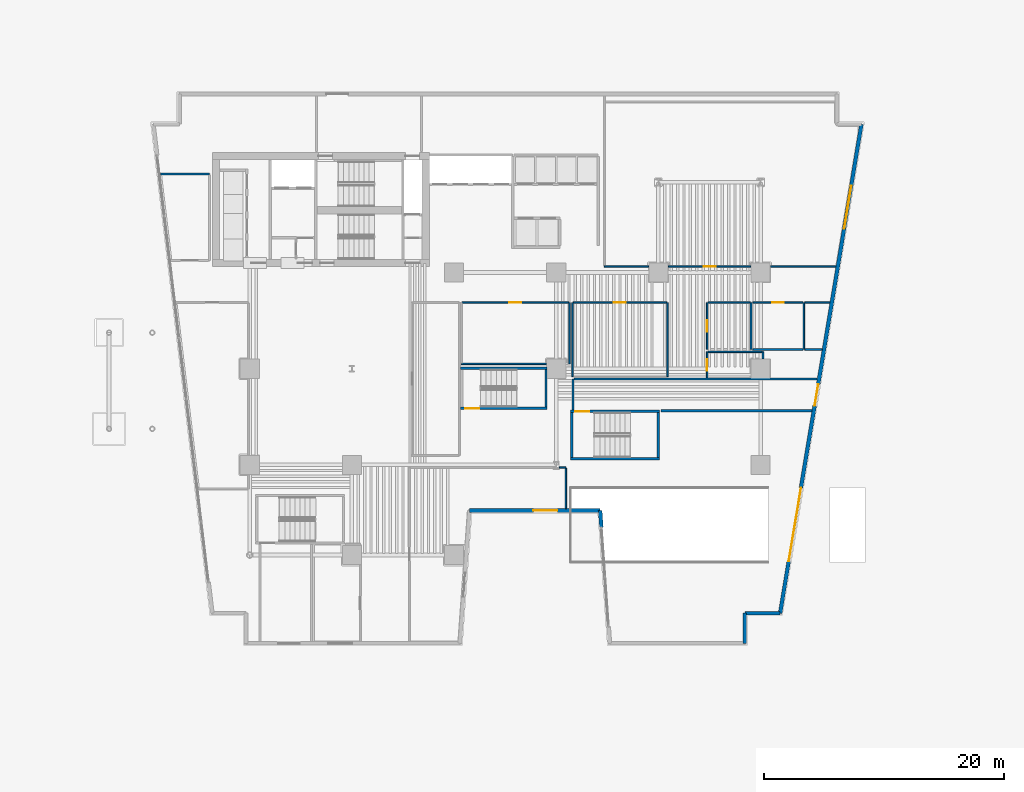
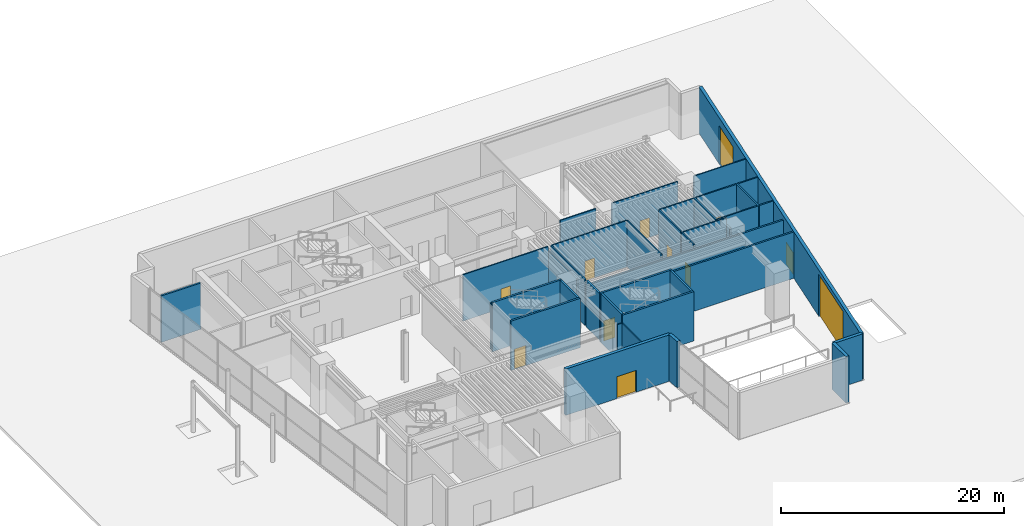
# One storey, part 9 of 18: 38 walls, 12 doors, 12 openings.
"""IFC4 building model written with IfcOpenShell, lengths in metres."""

from ifc_helpers import new_model, si_unit, direction, frame, frame_2d, origin, place, context, subcontext, project, spatial, rectangle, extrude, material, layer, layer_set, type_object, element, fill, save


model = new_model("IFC4")

# Units and contexts
model_context = context("Model", 3, precision=1e-05, world=origin(), true_north=direction((0.0, 1.0)))
body_context = subcontext(model_context, "Body", "Model", "MODEL_VIEW")
ifc_project = project(units=[si_unit("LENGTHUNIT", "METRE"), si_unit("AREAUNIT", "SQUARE_METRE"), si_unit("VOLUMEUNIT", "CUBIC_METRE"), si_unit("PLANEANGLEUNIT", "RADIAN"), si_unit("MASSUNIT", "GRAM", prefix="KILO")], contexts=[model_context])

# Site, building, storey
site_placement = place(None, origin())
site = spatial("IfcSite", under=ifc_project, at=site_placement, CompositionType="ELEMENT")
building_placement = place(site_placement, origin())
building = spatial("IfcBuilding", under=site, at=building_placement, Name="Caeloran Harvest Quay", CompositionType="ELEMENT")
storey_placement = place(building_placement, origin())
storey = spatial("IfcBuildingStorey", under=building, at=storey_placement, Name="L01", CompositionType="ELEMENT", Elevation=0.0)

# Wall, openings, doors
ifc_material_1 = material(Name="Precast concrete C50/60", Category="concrete")
ifc_layer_1 = layer(ifc_material_1, 0.320068359375, Name="Precast concrete C50/60")
ifc_layer_set_1 = layer_set([ifc_layer_1], Name="Precast concrete C50/60")
wall_type_1 = type_object("IfcWallType", Name="ENV-WALL-EW-320", PredefinedType="STANDARD", material=ifc_layer_set_1)
wall_1_placement = place(storey_placement, frame((59.39501953125, 43.340087890625, 0.0), z_axis=(0.0, 0.0, 1.0), x_axis=(-0.164174341808, -0.986431338458, 0.0)))
wall_1 = element("IfcWall", 1, at=wall_1_placement, inside=storey, type_object=wall_type_1, Name="L01 Exterior Precast Concrete Facade Wall 9", PredefinedType="STANDARD", context=body_context, shape_type="SweptSolid", body=[
    extrude(rectangle(XDim=41.23974609375, YDim=0.320068359375, at=frame_2d((20.619873046875, 0.0))), origin(), (0.0, 0.0, 1.0), 5.080078125),
])
opening_1_placement = place(wall_1_placement, frame((30.656005859375, 0.0, 0.0)))
opening_1 = element("IfcOpeningElement", 2, at=opening_1_placement, cuts=wall_1, Name="Opening VG-01", PredefinedType="OPENING", context=body_context, shape_type="SweptSolid", body=[
    extrude(rectangle(XDim=6.199951171875, YDim=4.60009765625, at=frame_2d((3.10009765625, 2.300048828125))), frame((0.0, 0.169921875, 0.0), z_axis=(0.0, -1.0, 0.0), x_axis=(1.0, 0.0, 0.0)), (0.0, 0.0, 1.0), 0.340087890625),
])
opening_2_placement = place(wall_1_placement, frame((5.199951171875, 0.0, 0.0)))
opening_2 = element("IfcOpeningElement", 3, at=opening_2_placement, cuts=wall_1, Name="Opening LDK-01", PredefinedType="OPENING", context=body_context, shape_type="SweptSolid", body=[
    extrude(rectangle(XDim=3.60009765625, YDim=4.199951171875, at=frame_2d((1.800048828125, 2.10009765625))), frame((0.0, 0.169921875, 0.0), z_axis=(0.0, -1.0, 0.0), x_axis=(1.0, 0.0, 0.0)), (0.0, 0.0, 1.0), 0.340087890625),
])
opening_3_placement = place(wall_1_placement, frame((21.9296875, 0.0, 0.0)))
opening_3 = element("IfcOpeningElement", 4, at=opening_3_placement, cuts=wall_1, Name="Opening ED-02", PredefinedType="OPENING", context=body_context, shape_type="SweptSolid", body=[
    extrude(rectangle(XDim=1.800048828125, YDim=2.39990234375, at=frame_2d((0.89990234375, 1.199951171875))), frame((0.0, 0.169921875, 0.0), z_axis=(0.0, -1.0, 0.0), x_axis=(1.0, 0.0, 0.0)), (0.0, 0.0, 1.0), 0.340087890625),
])
ifc_material_2 = material(Name="Thermally Broken Powder-Coated Aluminium and Safety Glass", Category="aluminium")
door_type_1 = type_object("IfcDoorType", Name="EXTDOOR-ED-02", OperationType="NOTDEFINED", PredefinedType="DOOR", material=ifc_material_2)
door_1_placement = place(opening_3_placement, origin())
door_1 = element("IfcDoor", 5, at=door_1_placement, inside=storey, type_object=door_type_1, Name="L01 Protected Passage ST-P2 Final Exit Door", OperationType="DOUBLE_DOOR_SINGLE_SWING", OverallHeight=2.39990234375, OverallWidth=1.800048828125, PredefinedType="DOOR", context=body_context, shape_type="SweptSolid", body=[
    extrude(rectangle(XDim=1.800048828125, YDim=2.39990234375, at=frame_2d((0.89990234375, 1.199951171875))), frame((0.0, 0.02490234375, 0.0), z_axis=(0.0, -1.0, 0.0), x_axis=(1.0, 0.0, 0.0)), (0.0, 0.0, 1.0), 0.050048828125),
])
fill(opening_3, door_1)
door_type_2 = type_object("IfcDoorType", Name="EXTDOOR-LDK-01", OperationType="NOTDEFINED", PredefinedType="GATE", material=ifc_material_2)
door_2_placement = place(opening_2_placement, origin())
door_2 = element("IfcDoor", 6, at=door_2_placement, inside=storey, type_object=door_type_2, Name="HGV Refrigerated Loading Bay Shutter Door LDK-01", OperationType="ROLLINGUP", OverallHeight=4.199951171875, OverallWidth=3.60009765625, PredefinedType="GATE", context=body_context, shape_type="SweptSolid", body=[
    extrude(rectangle(XDim=3.60009765625, YDim=4.199951171875, at=frame_2d((1.800048828125, 2.10009765625))), frame((0.0, 0.02490234375, 0.0), z_axis=(0.0, -1.0, 0.0), x_axis=(1.0, 0.0, 0.0)), (0.0, 0.0, 1.0), 0.050048828125),
])
fill(opening_2, door_2)
ifc_material_3 = material(Name="Galvanized Steel Slatted Shutter", Category="steel")
door_type_3 = type_object("IfcDoorType", Name="EXTDOOR-VG-01", OperationType="NOTDEFINED", PredefinedType="GATE", material=ifc_material_3)
door_3_placement = place(opening_1_placement, origin())
door_3 = element("IfcDoor", 7, at=door_3_placement, inside=storey, type_object=door_type_3, Name="Car Park Vehicle Roller Shutter Gate VG-01", OperationType="ROLLINGUP", OverallHeight=4.60009765625, OverallWidth=6.199951171875, PredefinedType="GATE", context=body_context, shape_type="SweptSolid", body=[
    extrude(rectangle(XDim=6.199951171875, YDim=4.60009765625, at=frame_2d((3.10009765625, 2.300048828125))), frame((0.0, 0.02490234375, 0.0), z_axis=(0.0, -1.0, 0.0), x_axis=(1.0, 0.0, 0.0)), (0.0, 0.0, 1.0), 0.050048828125),
])
fill(opening_1, door_3)

# Walls
wall_2_placement = place(storey_placement, frame((52.62451171875, 2.659912109375, 0.0), z_axis=(0.0, 0.0, 1.0), x_axis=(-1.0, 0.0, 0.0)))
element("IfcWall", 8, at=wall_2_placement, inside=storey, type_object=wall_type_1, Name="L01 Exterior Precast Concrete Facade Wall 10", PredefinedType="STANDARD", context=body_context, shape_type="SweptSolid", body=[
    extrude(rectangle(XDim=2.9404296875, YDim=0.320068359375, at=frame_2d((1.47021484375, 0.0))), origin(), (0.0, 0.0, 1.0), 5.080078125),
])
wall_3_placement = place(storey_placement, frame((49.68408203125, 2.659912109375, 0.0), z_axis=(0.0, 0.0, 1.0), x_axis=(0.0, -1.0, 0.0)))
element("IfcWall", 9, at=wall_3_placement, inside=storey, type_object=wall_type_1, Name="L01 Exterior Precast Concrete Facade Wall 11", PredefinedType="STANDARD", context=body_context, shape_type="SweptSolid", body=[
    extrude(rectangle(XDim=2.5, YDim=0.320068359375, at=frame_2d((1.25, 0.0))), origin(), (0.0, 0.0, 1.0), 5.080078125),
])
wall_4_placement = place(storey_placement, frame((37.75390625, 9.8037109375, 0.0), z_axis=(0.0, 0.0, 1.0), x_axis=(-0.072201344972, 0.997390077043, 0.0)))
element("IfcWall", 10, at=wall_4_placement, inside=storey, type_object=wall_type_1, Name="L01 Exterior Facade Corner Pier Wall 13B", PredefinedType="STANDARD", context=body_context, shape_type="SweptSolid", body=[
    extrude(rectangle(XDim=1.39990234375, YDim=0.320068359375, at=frame_2d((0.699951171875, 0.0))), origin(), (0.0, 0.0, 1.0), 5.080078125),
])

# Wall, opening, door
wall_5_placement = place(storey_placement, frame((37.65283203125, 11.199951171875, 0.0), z_axis=(0.0, 0.0, 1.0), x_axis=(-1.0, 0.0, 0.0)))
wall_5 = element("IfcWall", 11, at=wall_5_placement, inside=storey, type_object=wall_type_1, Name="L01 Exterior Precast Concrete Facade Wall 14", PredefinedType="STANDARD", context=body_context, shape_type="SweptSolid", body=[
    extrude(rectangle(XDim=10.86572265625, YDim=0.320068359375, at=frame_2d((5.432861328125, 0.0))), origin(), (0.0, 0.0, 1.0), 5.080078125),
])
opening_4_placement = place(wall_5_placement, frame((3.56396484375, 0.0, 0.0)))
opening_4 = element("IfcOpeningElement", 12, at=opening_4_placement, cuts=wall_5, Name="Opening ED-01", PredefinedType="OPENING", context=body_context, shape_type="SweptSolid", body=[
    extrude(rectangle(XDim=2.0, YDim=2.39990234375, at=frame_2d((1.0, 1.199951171875))), frame((0.0, 0.169921875, 0.0), z_axis=(0.0, -1.0, 0.0), x_axis=(1.0, 0.0, 0.0)), (0.0, 0.0, 1.0), 0.340087890625),
])
door_type_4 = type_object("IfcDoorType", Name="EXTDOOR-ED-01", OperationType="NOTDEFINED", PredefinedType="DOOR", material=ifc_material_2)
door_4_placement = place(opening_4_placement, origin())
door_4 = element("IfcDoor", 13, at=door_4_placement, inside=storey, type_object=door_type_4, Name="L01 Waterfront Final Exit Discharge Door E-01", OperationType="DOUBLE_DOOR_SINGLE_SWING", OverallHeight=2.39990234375, OverallWidth=2.0, PredefinedType="DOOR", context=body_context, shape_type="SweptSolid", body=[
    extrude(rectangle(XDim=2.0, YDim=2.39990234375, at=frame_2d((1.0, 1.199951171875))), frame((0.0, 0.02490234375, 0.0), z_axis=(0.0, -1.0, 0.0), x_axis=(1.0, 0.0, 0.0)), (0.0, 0.0, 1.0), 0.050048828125),
])
fill(opening_4, door_4)

# Walls
ifc_material_4 = material(Name="Twin-Stud Mineral-Wool Acoustic Gypsum Partition", Category="gypsum")
ifc_layer_2 = layer(ifc_material_4, 0.125, Name="Twin-Stud Mineral-Wool Acoustic Gypsum Partition")
ifc_layer_set_2 = layer_set([ifc_layer_2], Name="Twin-Stud Mineral-Wool Acoustic Gypsum Partition")
wall_type_2 = type_object("IfcWallType", Name="INT-WALL-PW-125", PredefinedType="PARTITIONING", material=ifc_layer_set_2)
wall_6_placement = place(storey_placement, frame((34.251953125, 14.800048828125, 0.0), z_axis=(0.0, 0.0, 1.0), x_axis=(1.0, 0.0, 0.0)))
element("IfcWall", 14, at=wall_6_placement, inside=storey, type_object=wall_type_2, Name="Quayside Bakery and Farm-to-Table Cafe Partition Wall", PredefinedType="PARTITIONING", context=body_context, shape_type="SweptSolid", body=[
    extrude(rectangle(XDim=0.548095703125, YDim=0.125, at=frame_2d((0.27392578125, 0.0))), origin(), (0.0, 0.0, 1.0), 5.080078125),
])
wall_7_placement = place(storey_placement, frame((34.800048828125, 14.732421875, 0.0), z_axis=(0.0, 0.0, 1.0), x_axis=(0.0, -1.0, 0.0)))
element("IfcWall", 15, at=wall_7_placement, inside=storey, type_object=wall_type_2, Name="Quayside Bakery and Farm-to-Table Cafe Partition Wall", PredefinedType="PARTITIONING", context=body_context, shape_type="SweptSolid", body=[
    extrude(rectangle(XDim=3.367431640625, YDim=0.125, at=frame_2d((1.68359375, 0.0))), origin(), (0.0, 0.0, 1.0), 5.080078125),
])
wall_8_placement = place(storey_placement, frame((35.10009765625, 28.5, 0.0), z_axis=(0.0, 0.0, 1.0), x_axis=(0.0, -1.0, 0.0)))
element("IfcWall", 16, at=wall_8_placement, inside=storey, type_object=wall_type_2, Name="Cold-Chain Harvest Sorting and Packhouse Hall Partition Wall", PredefinedType="PARTITIONING", context=body_context, shape_type="SweptSolid", body=[
    extrude(rectangle(XDim=5.10009765625, YDim=0.125, at=frame_2d((2.550048828125, 0.0))), origin(), (0.0, 0.0, 1.0), 4.614990234375),
])
wall_9_placement = place(storey_placement, frame((33.175048828125, 23.39990234375, 0.0), z_axis=(0.0, 0.0, 1.0), x_axis=(-1.0, 0.0, 0.0)))
element("IfcWall", 17, at=wall_9_placement, inside=storey, type_object=wall_type_2, Name="Cold-Chain Harvest Sorting and Packhouse Hall Partition Wall", PredefinedType="PARTITIONING", context=body_context, shape_type="SweptSolid", body=[
    extrude(rectangle(XDim=7.074951171875, YDim=0.125, at=frame_2d((3.53759765625, 0.0))), origin(), (0.0, 0.0, 1.0), 5.080078125),
])

# Wall, opening, door
wall_10_placement = place(storey_placement, frame((26.16748046875, 28.5, 0.0), z_axis=(0.0, 0.0, 1.0), x_axis=(1.0, 0.0, 0.0)))
wall_10 = element("IfcWall", 18, at=wall_10_placement, inside=storey, type_object=wall_type_2, Name="Cold-Chain Harvest Sorting and Packhouse Hall Partition Wall", PredefinedType="PARTITIONING", context=body_context, shape_type="SweptSolid", body=[
    extrude(rectangle(XDim=8.864990234375, YDim=0.125, at=frame_2d((4.4326171875, 0.0))), origin(), (0.0, 0.0, 1.0), 5.080078125),
])
opening_5_placement = place(wall_10_placement, frame((3.9326171875, 0.0, 0.0)))
opening_5 = element("IfcOpeningElement", 19, at=opening_5_placement, cuts=wall_10, Name="Opening ID-01", PredefinedType="OPENING", context=body_context, shape_type="SweptSolid", body=[
    extrude(rectangle(XDim=1.0, YDim=2.14990234375, at=frame_2d((0.5, 1.074951171875))), frame((0.0, 0.072509765625, 0.0), z_axis=(0.0, -1.0, 0.0), x_axis=(1.0, 0.0, 0.0)), (0.0, 0.0, 1.0), 0.14501953125),
])
ifc_material_5 = material(Name="FSC Solid-Core Ash Timber and Acoustic Seal", Category="wood")
door_type_5 = type_object("IfcDoorType", Name="INTDOOR-ID-01", OperationType="NOTDEFINED", PredefinedType="DOOR", material=ifc_material_5)
door_5_placement = place(opening_5_placement, origin())
door_5 = element("IfcDoor", 20, at=door_5_placement, inside=storey, type_object=door_type_5, Name="Cold-Chain Harvest Sorting and Packhouse Hall Access Door", OperationType="SINGLE_SWING_LEFT", OverallHeight=2.14990234375, OverallWidth=1.0, PredefinedType="DOOR", context=body_context, shape_type="SweptSolid", body=[
    extrude(rectangle(XDim=1.0, YDim=2.14990234375, at=frame_2d((0.5, 1.074951171875))), frame((0.0, 0.02490234375, 0.0), z_axis=(0.0, -1.0, 0.0), x_axis=(1.0, 0.0, 0.0)), (0.0, 0.0, 1.0), 0.050048828125),
])
fill(opening_5, door_5)

# Walls
for number, where, z_axis, x_axis, name in (
    (21, (43.25, 28.5, 0.0), (0.0, 0.0, 1.0), (0.0, -1.0, 0.0), "Walk-In Blast Freezer Store (-20 C) Partition Wall"),
    (22, (35.35009765625, 22.35009765625, 0.0), (0.0, 0.0, 1.0), (0.0, 1.0, 0.0), "Walk-In Blast Freezer Store (-20 C) Partition Wall"),
):
    element("IfcWall", number, at=place(storey_placement, frame(where, z_axis=z_axis, x_axis=x_axis)), inside=storey, type_object=wall_type_2, Name=name, PredefinedType="PARTITIONING", context=body_context, shape_type="SweptSolid", body=[
        extrude(rectangle(XDim=6.14990234375, YDim=0.125, at=frame_2d((3.074951171875, 0.0))), origin(), (0.0, 0.0, 1.0), 5.080078125),
    ])

# Wall, opening, door
wall_11_placement = place(storey_placement, frame((35.41748046875, 28.5, 0.0), z_axis=(0.0, 0.0, 1.0), x_axis=(1.0, 0.0, 0.0)))
wall_11 = element("IfcWall", 23, at=wall_11_placement, inside=storey, type_object=wall_type_2, Name="Walk-In Blast Freezer Store (-20 C) Partition Wall", PredefinedType="PARTITIONING", context=body_context, shape_type="SweptSolid", body=[
    extrude(rectangle(XDim=7.76513671875, YDim=0.125, at=frame_2d((3.882568359375, 0.0))), origin(), (0.0, 0.0, 1.0), 5.080078125),
])
opening_6_placement = place(wall_11_placement, frame((3.382568359375, 0.0, 0.0)))
opening_6 = element("IfcOpeningElement", 24, at=opening_6_placement, cuts=wall_11, Name="Opening ID-01", PredefinedType="OPENING", context=body_context, shape_type="SweptSolid", body=[
    extrude(rectangle(XDim=1.0, YDim=2.14990234375, at=frame_2d((0.5, 1.074951171875))), frame((0.0, 0.072509765625, 0.0), z_axis=(0.0, -1.0, 0.0), x_axis=(1.0, 0.0, 0.0)), (0.0, 0.0, 1.0), 0.14501953125),
])
door_6_placement = place(opening_6_placement, origin())
door_6 = element("IfcDoor", 25, at=door_6_placement, inside=storey, type_object=door_type_5, Name="Walk-In Blast Freezer Store (-20 C) Access Door", OperationType="SINGLE_SWING_LEFT", OverallHeight=2.14990234375, OverallWidth=1.0, PredefinedType="DOOR", context=body_context, shape_type="SweptSolid", body=[
    extrude(rectangle(XDim=1.0, YDim=2.14990234375, at=frame_2d((0.5, 1.074951171875))), frame((0.0, 0.02490234375, 0.0), z_axis=(0.0, -1.0, 0.0), x_axis=(1.0, 0.0, 0.0)), (0.0, 0.0, 1.0), 0.050048828125),
])
fill(opening_6, door_6)

wall_12_placement = place(storey_placement, frame((50.175048828125, 31.5, 0.0), z_axis=(0.0, 0.0, 1.0), x_axis=(-1.0, 0.0, 0.0)))
wall_12 = element("IfcWall", 26, at=wall_12_placement, inside=storey, type_object=wall_type_2, Name="Enclosed HGV Refrigerated Loading Dock Hall Partition Wall", PredefinedType="PARTITIONING", context=body_context, shape_type="SweptSolid", body=[
    extrude(rectangle(XDim=6.85009765625, YDim=0.125, at=frame_2d((3.425048828125, 0.0))), origin(), (0.0, 0.0, 1.0), 5.080078125),
])
opening_7_placement = place(wall_12_placement, frame((2.925048828125, 0.0, 0.0)))
opening_7 = element("IfcOpeningElement", 27, at=opening_7_placement, cuts=wall_12, Name="Opening ID-01", PredefinedType="OPENING", context=body_context, shape_type="SweptSolid", body=[
    extrude(rectangle(XDim=1.0, YDim=2.14990234375, at=frame_2d((0.5, 1.074951171875))), frame((0.0, 0.072509765625, 0.0), z_axis=(0.0, -1.0, 0.0), x_axis=(1.0, 0.0, 0.0)), (0.0, 0.0, 1.0), 0.14501953125),
])
door_7_placement = place(opening_7_placement, origin())
door_7 = element("IfcDoor", 28, at=door_7_placement, inside=storey, type_object=door_type_5, Name="Enclosed HGV Refrigerated Loading Dock Hall Access Door", OperationType="SINGLE_SWING_RIGHT", OverallHeight=2.14990234375, OverallWidth=1.0, PredefinedType="DOOR", context=body_context, shape_type="SweptSolid", body=[
    extrude(rectangle(XDim=1.0, YDim=2.14990234375, at=frame_2d((0.5, 1.074951171875))), frame((0.0, 0.02490234375, 0.0), z_axis=(0.0, -1.0, 0.0), x_axis=(1.0, 0.0, 0.0)), (0.0, 0.0, 1.0), 0.050048828125),
])
fill(opening_7, door_7)

# Walls
wall_13_placement = place(storey_placement, frame((41.675048828125, 31.5, 0.0), z_axis=(0.0, 0.0, 1.0), x_axis=(-1.0, 0.0, 0.0)))
element("IfcWall", 29, at=wall_13_placement, inside=storey, type_object=wall_type_2, Name="Enclosed HGV Refrigerated Loading Dock Hall Partition Wall", PredefinedType="PARTITIONING", context=body_context, shape_type="SweptSolid", body=[
    extrude(rectangle(XDim=3.675048828125, YDim=0.125, at=frame_2d((1.83740234375, 0.0))), origin(), (0.0, 0.0, 1.0), 5.080078125),
])
wall_14_placement = place(storey_placement, frame((57.257080078125, 31.5, 0.0), z_axis=(0.0, 0.0, 1.0), x_axis=(-1.0, 0.0, 0.0)))
element("IfcWall", 30, at=wall_14_placement, inside=storey, type_object=wall_type_2, Name="Enclosed HGV Refrigerated Loading Dock Hall Partition Wall", PredefinedType="PARTITIONING", context=body_context, shape_type="SweptSolid", body=[
    extrude(rectangle(XDim=5.43212890625, YDim=0.125, at=frame_2d((2.716064453125, 0.0))), origin(), (0.0, 0.0, 1.0), 5.080078125),
])
ifc_material_6 = material(Name="Moisture-Resistant Cement-Board Sanitary Partition", Category="gypsum")
ifc_layer_3 = layer(ifc_material_6, 0.139892578125, Name="Moisture-Resistant Cement-Board Sanitary Partition")
ifc_layer_set_3 = layer_set([ifc_layer_3], Name="Moisture-Resistant Cement-Board Sanitary Partition")
wall_type_3 = type_object("IfcWallType", Name="INT-WALL-PW-140", PredefinedType="PARTITIONING", material=ifc_layer_set_3)
wall_15_placement = place(storey_placement, frame((51.199951171875, 24.39990234375, 0.0), z_axis=(0.0, 0.0, 1.0), x_axis=(0.0, -1.0, 0.0)))
element("IfcWall", 31, at=wall_15_placement, inside=storey, type_object=wall_type_3, Name="L01 Public Male Washroom WC Partition Wall", PredefinedType="PARTITIONING", context=body_context, shape_type="SweptSolid", body=[
    extrude(rectangle(XDim=0.574951171875, YDim=0.139892578125, at=frame_2d((0.28759765625, 0.0))), origin(), (0.0, 0.0, 1.0), 4.264892578125),
])

# Wall, opening, door
wall_16_placement = place(storey_placement, frame((46.550048828125, 22.2451171875, 0.0), z_axis=(0.0, 0.0, 1.0), x_axis=(0.0, 1.0, 0.0)))
wall_16 = element("IfcWall", 32, at=wall_16_placement, inside=storey, type_object=wall_type_3, Name="L01 Public Male Washroom WC Partition Wall", PredefinedType="PARTITIONING", context=body_context, shape_type="SweptSolid", body=[
    extrude(rectangle(XDim=2.15478515625, YDim=0.139892578125, at=frame_2d((1.077392578125, 0.0))), origin(), (0.0, 0.0, 1.0), 5.080078125),
])
opening_8_placement = place(wall_16_placement, frame((0.6025390625, 0.0, 0.0)))
opening_8 = element("IfcOpeningElement", 33, at=opening_8_placement, cuts=wall_16, Name="Opening WC-01", PredefinedType="OPENING", context=body_context, shape_type="SweptSolid", body=[
    extrude(rectangle(XDim=0.949951171875, YDim=2.14990234375, at=frame_2d((0.47509765625, 1.074951171875))), frame((0.0, 0.080078125, 0.0), z_axis=(0.0, -1.0, 0.0), x_axis=(1.0, 0.0, 0.0)), (0.0, 0.0, 1.0), 0.159912109375),
])
ifc_material_7 = material(Name="High-Pressure Laminate Moisture-Resistant Timber", Category="wood")
door_type_6 = type_object("IfcDoorType", Name="INTDOOR-WC-01", OperationType="NOTDEFINED", PredefinedType="DOOR", material=ifc_material_7)
door_8_placement = place(opening_8_placement, origin())
door_8 = element("IfcDoor", 34, at=door_8_placement, inside=storey, type_object=door_type_6, Name="L01 Public Male Washroom WC Access Door", OperationType="SINGLE_SWING_LEFT", OverallHeight=2.14990234375, OverallWidth=0.949951171875, PredefinedType="DOOR", context=body_context, shape_type="SweptSolid", body=[
    extrude(rectangle(XDim=0.949951171875, YDim=2.14990234375, at=frame_2d((0.47509765625, 1.074951171875))), frame((0.0, 0.02490234375, 0.0), z_axis=(0.0, -1.0, 0.0), x_axis=(1.0, 0.0, 0.0)), (0.0, 0.0, 1.0), 0.050048828125),
])
fill(opening_8, door_8)

# Walls
wall_17_placement = place(storey_placement, frame((46.625, 24.39990234375, 0.0), z_axis=(0.0, 0.0, 1.0), x_axis=(1.0, 0.0, 0.0)))
element("IfcWall", 35, at=wall_17_placement, inside=storey, type_object=wall_type_3, Name="L01 Public Male Washroom WC Partition Wall", PredefinedType="PARTITIONING", context=body_context, shape_type="SweptSolid", body=[
    extrude(rectangle(XDim=4.5, YDim=0.139892578125, at=frame_2d((2.25, 0.0))), origin(), (0.0, 0.0, 1.0), 5.080078125),
])
wall_18_placement = place(storey_placement, frame((50.199951171875, 28.5, 0.0), z_axis=(0.0, 0.0, 1.0), x_axis=(0.0, -1.0, 0.0)))
element("IfcWall", 36, at=wall_18_placement, inside=storey, type_object=wall_type_3, Name="L01 Accessible Unisex Washroom WC Partition Wall", PredefinedType="PARTITIONING", context=body_context, shape_type="SweptSolid", body=[
    extrude(rectangle(XDim=3.89990234375, YDim=0.139892578125, at=frame_2d((1.949951171875, 0.0))), origin(), (0.0, 0.0, 1.0), 5.080078125),
])

# Wall, opening, door
wall_19_placement = place(storey_placement, frame((46.550048828125, 24.60009765625, 0.0), z_axis=(0.0, 0.0, 1.0), x_axis=(0.0, 1.0, 0.0)))
wall_19 = element("IfcWall", 37, at=wall_19_placement, inside=storey, type_object=wall_type_3, Name="L01 Accessible Unisex Washroom WC Partition Wall", PredefinedType="PARTITIONING", context=body_context, shape_type="SweptSolid", body=[
    extrude(rectangle(XDim=3.89990234375, YDim=0.139892578125, at=frame_2d((1.949951171875, 0.0))), origin(), (0.0, 0.0, 1.0), 5.080078125),
])
opening_9_placement = place(wall_19_placement, frame((1.47509765625, 0.0, 0.0)))
opening_9 = element("IfcOpeningElement", 38, at=opening_9_placement, cuts=wall_19, Name="Opening WC-01", PredefinedType="OPENING", context=body_context, shape_type="SweptSolid", body=[
    extrude(rectangle(XDim=0.949951171875, YDim=2.14990234375, at=frame_2d((0.47509765625, 1.074951171875))), frame((0.0, 0.080078125, 0.0), z_axis=(0.0, -1.0, 0.0), x_axis=(1.0, 0.0, 0.0)), (0.0, 0.0, 1.0), 0.159912109375),
])
door_9_placement = place(opening_9_placement, origin())
door_9 = element("IfcDoor", 39, at=door_9_placement, inside=storey, type_object=door_type_6, Name="L01 Accessible Unisex Washroom WC Access Door", OperationType="SINGLE_SWING_RIGHT", OverallHeight=2.14990234375, OverallWidth=0.949951171875, PredefinedType="DOOR", context=body_context, shape_type="SweptSolid", body=[
    extrude(rectangle(XDim=0.949951171875, YDim=2.14990234375, at=frame_2d((0.47509765625, 1.074951171875))), frame((0.0, 0.02490234375, 0.0), z_axis=(0.0, -1.0, 0.0), x_axis=(1.0, 0.0, 0.0)), (0.0, 0.0, 1.0), 0.050048828125),
])
fill(opening_9, door_9)

# Walls
wall_20_placement = place(storey_placement, frame((46.625, 28.5, 0.0), z_axis=(0.0, 0.0, 1.0), x_axis=(1.0, 0.0, 0.0)))
element("IfcWall", 40, at=wall_20_placement, inside=storey, type_object=wall_type_3, Name="L01 Accessible Unisex Washroom WC Partition Wall", PredefinedType="PARTITIONING", context=body_context, shape_type="SweptSolid", body=[
    extrude(rectangle(XDim=3.5, YDim=0.139892578125, at=frame_2d((1.75, 0.0))), origin(), (0.0, 0.0, 1.0), 5.080078125),
])
wall_21_placement = place(storey_placement, frame((54.60009765625, 28.5, 0.0), z_axis=(0.0, 0.0, 1.0), x_axis=(0.0, -1.0, 0.0)))
element("IfcWall", 41, at=wall_21_placement, inside=storey, type_object=wall_type_3, Name="L01 Public Female Washroom WC Partition Wall", PredefinedType="PARTITIONING", context=body_context, shape_type="SweptSolid", body=[
    extrude(rectangle(XDim=3.89990234375, YDim=0.139892578125, at=frame_2d((1.949951171875, 0.0))), origin(), (0.0, 0.0, 1.0), 5.080078125),
])
wall_22_placement = place(storey_placement, frame((56.10888671875, 24.60009765625, 0.0), z_axis=(0.0, 0.0, 1.0), x_axis=(-1.0, 0.0, 0.0)))
element("IfcWall", 42, at=wall_22_placement, inside=storey, type_object=wall_type_3, Name="L01 Public Female Washroom WC Partition Wall", PredefinedType="PARTITIONING", context=body_context, shape_type="SweptSolid", body=[
    extrude(rectangle(XDim=1.433837890625, YDim=0.139892578125, at=frame_2d((0.716796875, 0.0))), origin(), (0.0, 0.0, 1.0), 5.080078125),
])
wall_23_placement = place(storey_placement, frame((54.52490234375, 24.60009765625, 0.0), z_axis=(0.0, 0.0, 1.0), x_axis=(-1.0, 0.0, 0.0)))
element("IfcWall", 43, at=wall_23_placement, inside=storey, type_object=wall_type_3, Name="L01 Public Female Washroom WC Partition Wall", PredefinedType="PARTITIONING", context=body_context, shape_type="SweptSolid", body=[
    extrude(rectangle(XDim=4.1748046875, YDim=0.139892578125, at=frame_2d((2.08740234375, 0.0))), origin(), (0.0, 0.0, 1.0), 5.080078125),
])
wall_24_placement = place(storey_placement, frame((54.675048828125, 28.5, 0.0), z_axis=(0.0, 0.0, 1.0), x_axis=(1.0, 0.0, 0.0)))
element("IfcWall", 44, at=wall_24_placement, inside=storey, type_object=wall_type_3, Name="L01 Public Female Washroom WC Partition Wall", PredefinedType="PARTITIONING", context=body_context, shape_type="SweptSolid", body=[
    extrude(rectangle(XDim=2.082763671875, YDim=0.139892578125, at=frame_2d((1.04150390625, 0.0))), origin(), (0.0, 0.0, 1.0), 5.080078125),
])

# Wall, opening, door
wall_25_placement = place(storey_placement, frame((50.35009765625, 28.5, 0.0), z_axis=(0.0, 0.0, 1.0), x_axis=(1.0, 0.0, 0.0)))
wall_25 = element("IfcWall", 45, at=wall_25_placement, inside=storey, type_object=wall_type_3, Name="L01 Public Female Washroom WC Partition Wall", PredefinedType="PARTITIONING", context=body_context, shape_type="SweptSolid", body=[
    extrude(rectangle(XDim=4.1748046875, YDim=0.139892578125, at=frame_2d((2.08740234375, 0.0))), origin(), (0.0, 0.0, 1.0), 5.080078125),
])
opening_10_placement = place(wall_25_placement, frame((1.612548828125, 0.0, 0.0)))
opening_10 = element("IfcOpeningElement", 46, at=opening_10_placement, cuts=wall_25, Name="Opening WC-01", PredefinedType="OPENING", context=body_context, shape_type="SweptSolid", body=[
    extrude(rectangle(XDim=0.949951171875, YDim=2.14990234375, at=frame_2d((0.47509765625, 1.074951171875))), frame((0.0, 0.080078125, 0.0), z_axis=(0.0, -1.0, 0.0), x_axis=(1.0, 0.0, 0.0)), (0.0, 0.0, 1.0), 0.159912109375),
])
door_10_placement = place(opening_10_placement, origin())
door_10 = element("IfcDoor", 47, at=door_10_placement, inside=storey, type_object=door_type_6, Name="L01 Public Female Washroom WC Access Door", OperationType="SINGLE_SWING_LEFT", OverallHeight=2.14990234375, OverallWidth=0.949951171875, PredefinedType="DOOR", context=body_context, shape_type="SweptSolid", body=[
    extrude(rectangle(XDim=0.949951171875, YDim=2.14990234375, at=frame_2d((0.47509765625, 1.074951171875))), frame((0.0, 0.02490234375, 0.0), z_axis=(0.0, -1.0, 0.0), x_axis=(1.0, 0.0, 0.0)), (0.0, 0.0, 1.0), 0.050048828125),
])
fill(opening_10, door_10)

# Walls
ifc_material_8 = material(Name="Autoclaved Aerated Concrete Blockwork", Category="masonry")
ifc_layer_4 = layer(ifc_material_8, 0.179931640625, Name="Autoclaved Aerated Concrete Blockwork")
ifc_layer_set_4 = layer_set([ifc_layer_4], Name="Autoclaved Aerated Concrete Blockwork")
wall_type_4 = type_object("IfcWallType", Name="INT-WALL-PW-180", PredefinedType="PARTITIONING", material=ifc_layer_set_4)
wall_26_placement = place(storey_placement, frame((55.260009765625, 19.5, 0.0), z_axis=(0.0, 0.0, 1.0), x_axis=(-1.0, 0.0, 0.0)))
element("IfcWall", 48, at=wall_26_placement, inside=storey, type_object=wall_type_4, Name="L01 Protected Exit Passageway ST-P2 to East Quayside EI 120 Compartment Wall", PredefinedType="PARTITIONING", context=body_context, shape_type="SweptSolid", body=[
    extrude(rectangle(XDim=12.55810546875, YDim=0.179931640625, at=frame_2d((6.279052734375, 0.0))), origin(), (0.0, 0.0, 1.0), 5.080078125),
])
wall_27_placement = place(storey_placement, frame((35.39990234375, 19.554931640625, 0.0), z_axis=(0.0, 0.0, 1.0), x_axis=(0.0, 1.0, 0.0)))
element("IfcWall", 49, at=wall_27_placement, inside=storey, type_object=wall_type_4, Name="L01 Protected Exit Passageway ST-P2 to East Quayside EI 120 Compartment Wall", PredefinedType="PARTITIONING", context=body_context, shape_type="SweptSolid", body=[
    extrude(rectangle(XDim=2.594970703125, YDim=0.179931640625, at=frame_2d((1.29736328125, 0.0))), origin(), (0.0, 0.0, 1.0), 5.080078125),
])
wall_28_placement = place(storey_placement, frame((35.4951171875, 22.14990234375, 0.0), z_axis=(0.0, 0.0, 1.0), x_axis=(1.0, 0.0, 0.0)))
element("IfcWall", 50, at=wall_28_placement, inside=storey, type_object=wall_type_4, Name="L01 Protected Exit Passageway ST-P2 to East Quayside EI 120 Compartment Wall", PredefinedType="PARTITIONING", context=body_context, shape_type="SweptSolid", body=[
    extrude(rectangle(XDim=20.2060546875, YDim=0.179931640625, at=frame_2d((10.10302734375, 0.0))), origin(), (0.0, 0.0, 1.0), 4.614990234375),
])
wall_29_placement = place(storey_placement, frame((1.08642578125, 39.199951171875, 0.0), z_axis=(0.0, 0.0, 1.0), x_axis=(1.0, 0.0, 0.0)))
element("IfcWall", 51, at=wall_29_placement, inside=storey, type_object=wall_type_4, Name="L01 Fire Command Centre and Fire Control Room Partition Wall", PredefinedType="PARTITIONING", context=body_context, shape_type="SweptSolid", body=[
    extrude(rectangle(XDim=4.0634765625, YDim=0.179931640625, at=frame_2d((2.03173828125, 0.0))), origin(), (0.0, 0.0, 1.0), 5.080078125),
])

# Wall, opening, door
ifc_material_9 = material(Name="Concrete C60/75", Category="concrete")
ifc_layer_5 = layer(ifc_material_9, 0.199951171875, Name="Concrete C60/75")
ifc_layer_set_5 = layer_set([ifc_layer_5], Name="Concrete C60/75")
wall_type_5 = type_object("IfcWallType", Name="STR-WALL-SW-200", PredefinedType="SHEAR", material=ifc_layer_set_5)
wall_30_placement = place(storey_placement, frame((26.050048828125, 19.699951171875, 0.0), z_axis=(0.0, 0.0, 1.0), x_axis=(1.0, 0.0, 0.0)))
wall_30 = element("IfcWall", 52, at=wall_30_placement, inside=storey, type_object=wall_type_5, Name="L01 Stair ST-W1 S RC Shaft Shear Wall", PredefinedType="SHEAR", context=body_context, shape_type="SweptSolid", body=[
    extrude(rectangle(XDim=7.199951171875, YDim=0.199951171875, at=frame_2d((3.60009765625, 0.0))), origin(), (0.0, 0.0, 1.0), 5.39990234375),
])
opening_11_placement = place(wall_30_placement, frame((0.3798828125, 0.0, 0.0)))
opening_11 = element("IfcOpeningElement", 53, at=opening_11_placement, cuts=wall_30, Name="Opening SD-01", PredefinedType="OPENING", context=body_context, shape_type="SweptSolid", body=[
    extrude(rectangle(XDim=1.14990234375, YDim=2.199951171875, at=frame_2d((0.574951171875, 1.10009765625))), frame((0.0, 0.10986328125, 0.0), z_axis=(0.0, -1.0, 0.0), x_axis=(1.0, 0.0, 0.0)), (0.0, 0.0, 1.0), 0.219970703125),
])
ifc_material_10 = material(Name="Steel", Category="steel")
door_type_7 = type_object("IfcDoorType", Name="INTDOOR-SD-01", OperationType="NOTDEFINED", PredefinedType="DOOR", material=ifc_material_10)
door_11_placement = place(opening_11_placement, origin())
door_11 = element("IfcDoor", 54, at=door_11_placement, inside=storey, type_object=door_type_7, Name="L01 Protected Exit Stair ST-W1 Fire Door", OperationType="SINGLE_SWING_RIGHT", OverallHeight=2.199951171875, OverallWidth=1.14990234375, PredefinedType="DOOR", context=body_context, shape_type="SweptSolid", body=[
    extrude(rectangle(XDim=1.14990234375, YDim=2.199951171875, at=frame_2d((0.574951171875, 1.10009765625))), frame((0.0, 0.02490234375, 0.0), z_axis=(0.0, -1.0, 0.0), x_axis=(1.0, 0.0, 0.0)), (0.0, 0.0, 1.0), 0.050048828125),
])
fill(opening_11, door_11)

# Walls
wall_31_placement = place(storey_placement, frame((26.050048828125, 23.050048828125, 0.0), z_axis=(0.0, 0.0, 1.0), x_axis=(1.0, 0.0, 0.0)))
element("IfcWall", 55, at=wall_31_placement, inside=storey, type_object=wall_type_5, Name="L01 Stair ST-W1 N RC Shaft Shear Wall", PredefinedType="SHEAR", context=body_context, shape_type="SweptSolid", body=[
    extrude(rectangle(XDim=7.199951171875, YDim=0.199951171875, at=frame_2d((3.60009765625, 0.0))), origin(), (0.0, 0.0, 1.0), 5.39990234375),
])
wall_32_placement = place(storey_placement, frame((33.14990234375, 19.81005859375, 0.0), z_axis=(0.0, 0.0, 1.0), x_axis=(0.0, 1.0, 0.0)))
element("IfcWall", 56, at=wall_32_placement, inside=storey, type_object=wall_type_5, Name="L01 Stair ST-W1 E RC Shaft Shear Wall", PredefinedType="SHEAR", context=body_context, shape_type="SweptSolid", body=[
    extrude(rectangle(XDim=3.1298828125, YDim=0.199951171875, at=frame_2d((1.56494140625, 0.0))), origin(), (0.0, 0.0, 1.0), 5.39990234375),
])
wall_33_placement = place(storey_placement, frame((35.199951171875, 15.5, 0.0), z_axis=(0.0, 0.0, 1.0), x_axis=(1.0, 0.0, 0.0)))
element("IfcWall", 57, at=wall_33_placement, inside=storey, type_object=wall_type_5, Name="L01 Stair ST-P2 S RC Shaft Shear Wall", PredefinedType="SHEAR", context=body_context, shape_type="SweptSolid", body=[
    extrude(rectangle(XDim=7.400146484375, YDim=0.199951171875, at=frame_2d((3.7001953125, 0.0))), origin(), (0.0, 0.0, 1.0), 5.39990234375),
])

# Wall, opening, door
wall_34_placement = place(storey_placement, frame((35.199951171875, 19.449951171875, 0.0), z_axis=(0.0, 0.0, 1.0), x_axis=(1.0, 0.0, 0.0)))
wall_34 = element("IfcWall", 58, at=wall_34_placement, inside=storey, type_object=wall_type_5, Name="L01 Stair ST-P2 N RC Shaft Shear Wall", PredefinedType="SHEAR", context=body_context, shape_type="SweptSolid", body=[
    extrude(rectangle(XDim=7.400146484375, YDim=0.199951171875, at=frame_2d((3.7001953125, 0.0))), origin(), (0.0, 0.0, 1.0), 5.39990234375),
])
opening_12_placement = place(wall_34_placement, frame((0.3798828125, 0.0, 0.0)))
opening_12 = element("IfcOpeningElement", 59, at=opening_12_placement, cuts=wall_34, Name="Opening SD-01", PredefinedType="OPENING", context=body_context, shape_type="SweptSolid", body=[
    extrude(rectangle(XDim=1.14990234375, YDim=2.199951171875, at=frame_2d((0.574951171875, 1.10009765625))), frame((0.0, 0.10986328125, 0.0), z_axis=(0.0, -1.0, 0.0), x_axis=(1.0, 0.0, 0.0)), (0.0, 0.0, 1.0), 0.219970703125),
])
door_12_placement = place(opening_12_placement, origin())
door_12 = element("IfcDoor", 60, at=door_12_placement, inside=storey, type_object=door_type_7, Name="L01 Protected Exit Stair ST-P2 Fire Door", OperationType="SINGLE_SWING_RIGHT", OverallHeight=2.199951171875, OverallWidth=1.14990234375, PredefinedType="DOOR", context=body_context, shape_type="SweptSolid", body=[
    extrude(rectangle(XDim=1.14990234375, YDim=2.199951171875, at=frame_2d((0.574951171875, 1.10009765625))), frame((0.0, 0.02490234375, 0.0), z_axis=(0.0, -1.0, 0.0), x_axis=(1.0, 0.0, 0.0)), (0.0, 0.0, 1.0), 0.050048828125),
])
fill(opening_12, door_12)

# Walls
for number, where, z_axis, x_axis, name in (
    (61, (35.300048828125, 15.610107421875, 0.0), (0.0, 0.0, 1.0), (0.0, 1.0, 0.0), "L01 Stair ST-P2 W RC Shaft Shear Wall"),
    (62, (42.5, 15.610107421875, 0.0), (0.0, 0.0, 1.0), (0.0, 1.0, 0.0), "L01 Stair ST-P2 E RC Shaft Shear Wall"),
):
    element("IfcWall", number, at=place(storey_placement, frame(where, z_axis=z_axis, x_axis=x_axis)), inside=storey, type_object=wall_type_5, Name=name, PredefinedType="SHEAR", context=body_context, shape_type="SweptSolid", body=[
        extrude(rectangle(XDim=3.72998046875, YDim=0.199951171875, at=frame_2d((1.864990234375, 0.0))), origin(), (0.0, 0.0, 1.0), 5.39990234375),
    ])

save(model, "model.ifc")
